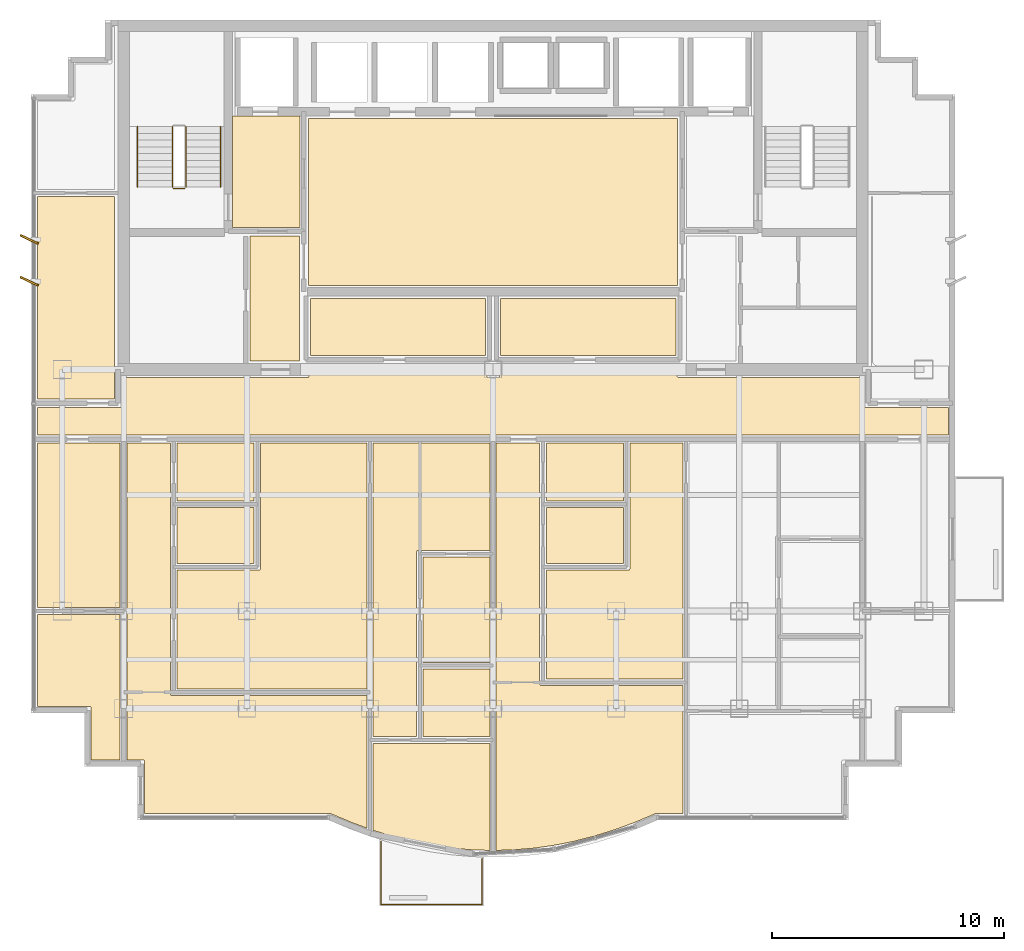
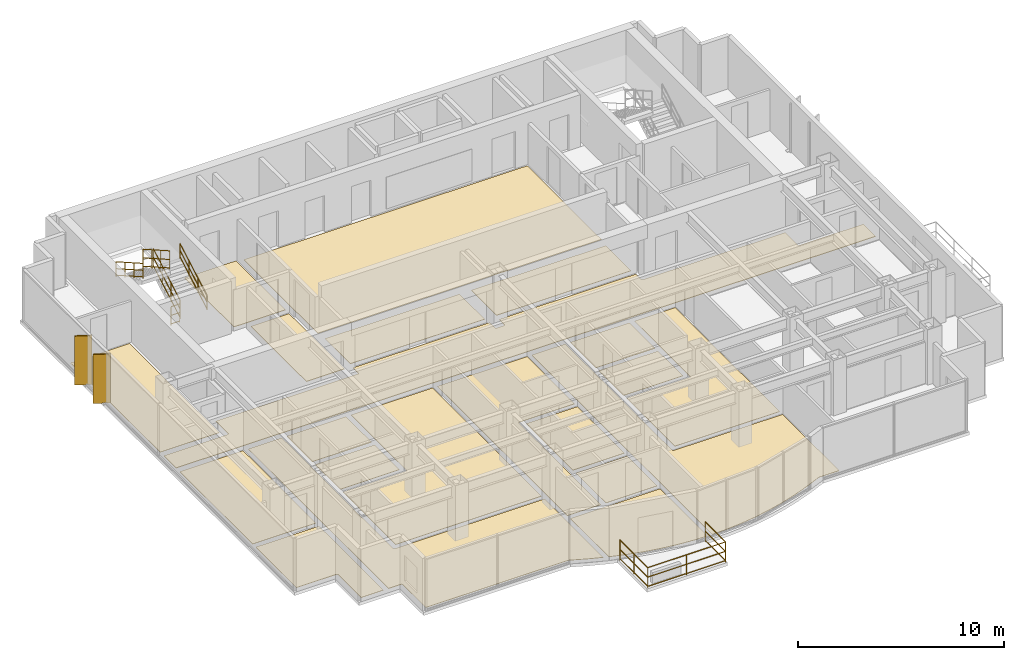
# One storey, part 10 of 11: 21 coverings, 6 railings, 2 shading devices.
"""IFC4 building model written with IfcOpenShell, lengths in metres."""

import ifcopenshell
import ifcopenshell.guid

model = None  # the IFC model being written
_history = None  # IfcOwnerHistory: only IFC2X3 demands one
_inside = {}  # id of a spatial element -> (the spatial element, [elements in it])
_under = {}  # id of a project, library or spatial element -> (it, [spatial elements below it])
_declared = {}  # id of a project -> (the project, [libraries it declares])
_typed = {}  # id of a type object -> (the type object, [elements of that type])
_made_of = {}  # id of a material, layer set ... -> (it, [elements and type objects made of it])


def new_model(schema):
    """Start an empty IFC model of exactly this schema.

    Asked for "IFC4X3", IfcOpenShell would pick the latest addendum, in which some entities
    have other attributes; the version numbers below select the first issue.
    IFC2X3 requires an IfcOwnerHistory on every rooted entity: one is made here for all.
    """
    global model, _history
    if schema == "IFC4X3":
        model = ifcopenshell.file(schema_version=(4, 3, 0, 0))
    else:
        model = ifcopenshell.file(schema=schema)
    _inside.clear()
    _under.clear()
    _declared.clear()
    _typed.clear()
    _made_of.clear()
    _history = None
    if model.schema == "IFC2X3":
        org = make("IfcOrganization", Name="unknown")
        user = make(
            "IfcPersonAndOrganization",
            ThePerson=make("IfcPerson", FamilyName="unknown"),
            TheOrganization=org,
        )
        app = make(
            "IfcApplication",
            ApplicationDeveloper=org,
            Version="unknown",
            ApplicationFullName="unknown",
            ApplicationIdentifier="unknown",
        )
        _history = make(
            "IfcOwnerHistory",
            OwningUser=user,
            OwningApplication=app,
            ChangeAction="ADDED",
            CreationDate=0,
        )
    return model


def make(cls, **values):
    """One entity of the class cls with the attributes given. An attribute that is None is left unset."""
    return model.create_entity(
        cls, **{name: value for name, value in values.items() if value is not None}
    )


def rooted(cls, **values):
    """An entity with a GlobalId (a new one), such as an element, a storey or a relation."""
    return make(cls, GlobalId=ifcopenshell.guid.new(), OwnerHistory=_history, **values)


def si_unit(unit_type, name, prefix=None):
    """IfcSIUnit, for example si_unit("LENGTHUNIT", "METRE", prefix="MILLI")."""
    return make("IfcSIUnit", UnitType=unit_type, Prefix=prefix, Name=name)


def assignment(units):
    """IfcUnitAssignment: the units of a project."""
    return None if units is None else make("IfcUnitAssignment", Units=units)


def point(xyz):
    """IfcCartesianPoint."""
    return None if xyz is None else make("IfcCartesianPoint", Coordinates=xyz)


def direction(xyz):
    """IfcDirection."""
    return None if xyz is None else make("IfcDirection", DirectionRatios=xyz)


def frame(location, z_axis=None, x_axis=None):
    """IfcAxis2Placement3D, a coordinate frame: its origin and axes. An axis left out is left unset."""
    return make(
        "IfcAxis2Placement3D",
        Location=point(location),
        Axis=direction(z_axis),
        RefDirection=direction(x_axis),
    )


def frame_2d(location, x_axis=None):
    """IfcAxis2Placement2D, a coordinate frame in the plane: its origin and x axis."""
    return make(
        "IfcAxis2Placement2D", Location=point(location), RefDirection=direction(x_axis)
    )


def origin():
    """The frame at (0, 0, 0) with its axes left unset."""
    return frame((0.0, 0.0, 0.0))


def origin_2d():
    """The frame at (0, 0) in the plane with its x axis left unset."""
    return frame_2d((0.0, 0.0))


def place(relative_to, where):
    """IfcLocalPlacement: puts the frame where relative to a parent placement (None: the world)."""
    return make(
        "IfcLocalPlacement", PlacementRelTo=relative_to, RelativePlacement=where
    )


def context(
    kind, dimensions, precision=None, world=None, true_north=None, identifier=None
):
    """IfcGeometricRepresentationContext, for example the 3D "Model" context."""
    return make(
        "IfcGeometricRepresentationContext",
        ContextIdentifier=identifier,
        ContextType=kind,
        CoordinateSpaceDimension=dimensions,
        Precision=precision,
        WorldCoordinateSystem=world,
        TrueNorth=true_north,
    )


def subcontext(parent, identifier, kind, view, scale=None):
    """IfcGeometricRepresentationSubContext, for example "Body" below "Model"."""
    return make(
        "IfcGeometricRepresentationSubContext",
        ContextIdentifier=identifier,
        ContextType=kind,
        ParentContext=parent,
        TargetScale=scale,
        TargetView=view,
    )


def project(units=None, contexts=None):
    """IfcProject with its units and contexts."""
    return rooted(
        "IfcProject",
        Name="project",
        RepresentationContexts=contexts,
        UnitsInContext=assignment(units),
    )


def spatial(cls, under=None, at=None, **own):
    """A site, building, storey or space (cls), placed at a placement, below another one or the project."""
    s = rooted(cls, ObjectPlacement=at, **own)
    if under is not None:
        _under.setdefault(under.id(), (under, []))[1].append(s)
    return s


def polyline(points):
    """IfcPolyline through the points."""
    return make("IfcPolyline", Points=[point(p) for p in points])


def profile(cls, at=None, kind="AREA", **sizes):
    """A parametric profile (cls). Its sizes go by their IFC names, for example OverallWidth=200.0."""
    return make(cls, ProfileType=kind, Position=at, **sizes)


def rectangle(**sizes):
    """IfcRectangleProfileDef."""
    return profile("IfcRectangleProfileDef", **sizes)


def circle(**sizes):
    """IfcCircleProfileDef."""
    return profile("IfcCircleProfileDef", **sizes)


def outline(outer, holes=None, kind="AREA"):
    """IfcArbitraryClosedProfileDef: a profile drawn as a closed curve; with holes, ...WithVoids."""
    if holes is None:
        return make("IfcArbitraryClosedProfileDef", ProfileType=kind, OuterCurve=outer)
    return make(
        "IfcArbitraryProfileDefWithVoids",
        ProfileType=kind,
        OuterCurve=outer,
        InnerCurves=holes,
    )


def extrude(swept, where, along, depth):
    """IfcExtrudedAreaSolid: the profile swept, set in the frame where, extruded along a direction by depth."""
    return make(
        "IfcExtrudedAreaSolid",
        SweptArea=swept,
        Position=where,
        ExtrudedDirection=direction(along),
        Depth=depth,
    )


def shape(context_of_items, identifier, shape_type, items):
    """IfcShapeRepresentation: the items that make up one representation, for example the "Body"."""
    return make(
        "IfcShapeRepresentation",
        ContextOfItems=context_of_items,
        RepresentationIdentifier=identifier,
        RepresentationType=shape_type,
        Items=items,
    )


def source(mapping_origin, context_of_items, identifier, shape_type, items):
    """IfcRepresentationMap: a shape defined once, which mapped items show again and again."""
    return make(
        "IfcRepresentationMap",
        MappingOrigin=mapping_origin,
        MappedRepresentation=shape(context_of_items, identifier, shape_type, items),
    )


def transform(
    local_origin,
    x_axis=None,
    y_axis=None,
    z_axis=None,
    scale=None,
    scale2=None,
    scale3=None,
    uniform=True,
):
    """IfcCartesianTransformationOperator3D, or its non-uniform kind. x_axis, y_axis, z_axis: its Axis1, 2, 3."""
    if uniform:
        return make(
            "IfcCartesianTransformationOperator3D",
            Axis1=direction(x_axis),
            Axis2=direction(y_axis),
            LocalOrigin=point(local_origin),
            Scale=scale,
            Axis3=direction(z_axis),
        )
    return make(
        "IfcCartesianTransformationOperator3DnonUniform",
        Axis1=direction(x_axis),
        Axis2=direction(y_axis),
        LocalOrigin=point(local_origin),
        Scale=scale,
        Axis3=direction(z_axis),
        Scale2=scale2,
        Scale3=scale3,
    )


def mapped(mapping_source, mapping_target):
    """IfcMappedItem: shows the shape of a source again, moved by a transform."""
    return make(
        "IfcMappedItem", MappingSource=mapping_source, MappingTarget=mapping_target
    )


def material(Name=None, Category=None):
    """IfcMaterial."""
    return make("IfcMaterial", Name=Name, Category=Category)


def layer(
    of_material, thickness, ventilated=None, Name=None, Category=None, Priority=None
):
    """IfcMaterialLayer: one layer of a wall or slab, of a material (None: an air gap)."""
    return make(
        "IfcMaterialLayer",
        Material=of_material,
        LayerThickness=thickness,
        IsVentilated=ventilated,
        Name=Name,
        Category=Category,
        Priority=Priority,
    )


def layer_set(layers, Name=None):
    """IfcMaterialLayerSet."""
    return make("IfcMaterialLayerSet", MaterialLayers=layers, LayerSetName=Name)


def made_of(thing, what):
    """Note that an element or type object is made of a material, layer set ...; save() writes the relation."""
    if what is not None:
        _made_of.setdefault(what.id(), (what, []))[1].append(thing)
    return thing


def type_object(cls, material=None, **own):
    """A type object (cls), such as IfcWallType, which elements share."""
    return made_of(rooted(cls, **own), material)


def element(
    cls,
    number,
    at=None,
    inside=None,
    cuts=None,
    type_object=None,
    material=None,
    context=None,
    identifier="Body",
    shape_type=None,
    held_by="IfcProductDefinitionShape",
    body=None,
    shapes=None,
    **own,
):
    """One element of the class cls, such as IfcWall. Its Tag is "e" and its number.

    at: its placement. inside: the storey or other place that contains it. cuts: it is an
    opening in that element (IfcRelVoidsElement). A single representation is given by context,
    identifier, shape_type and body (its items); several are given by shapes. held_by: the class
    of the entity that holds the representations. save() writes the other relations.
    """
    e = rooted(cls, Tag="e%d" % number, ObjectPlacement=at, **own)
    if body is not None:
        shapes = [shape(context, identifier, shape_type, body)]
    if shapes is not None:
        e.Representation = make(held_by, Representations=shapes)
    if inside is not None:
        _inside.setdefault(inside.id(), (inside, []))[1].append(e)
    if cuts is not None:
        rooted(
            "IfcRelVoidsElement", RelatingBuildingElement=cuts, RelatedOpeningElement=e
        )
    if type_object is not None:
        _typed.setdefault(type_object.id(), (type_object, []))[1].append(e)
    return made_of(e, material)


def aggregate(whole, parts):
    """IfcRelAggregates: a whole, such as a stair, and the parts it consists of."""
    return rooted("IfcRelAggregates", RelatingObject=whole, RelatedObjects=parts)


def save(model, path):
    """Write the relations noted so far, then the file.

    IfcRelAggregates (storeys below a building ...), IfcRelContainedInSpatialStructure (elements
    in a storey), IfcRelDefinesByType, IfcRelAssociatesMaterial and IfcRelDeclares: one each for
    every whole, place, type object, material and project.
    """
    for whole, parts in _under.values():
        aggregate(whole, parts)
    for where, things in _inside.values():
        rooted(
            "IfcRelContainedInSpatialStructure",
            RelatedElements=things,
            RelatingStructure=where,
        )
    for kind, things in _typed.values():
        rooted("IfcRelDefinesByType", RelatedObjects=things, RelatingType=kind)
    for what, things in _made_of.values():
        rooted("IfcRelAssociatesMaterial", RelatedObjects=things, RelatingMaterial=what)
    for by, libraries in _declared.values():
        rooted("IfcRelDeclares", RelatingContext=by, RelatedDefinitions=libraries)
    model.write(path)


model = new_model("IFC4")

# Units and contexts
model_context = context("Model", 3, precision=1e-05, world=origin(), true_north=direction((0.0, 1.0)))
body_context = subcontext(model_context, "Body", "Model", "MODEL_VIEW")
ifc_project = project(units=[si_unit("LENGTHUNIT", "METRE"), si_unit("AREAUNIT", "SQUARE_METRE"), si_unit("VOLUMEUNIT", "CUBIC_METRE"), si_unit("PLANEANGLEUNIT", "RADIAN"), si_unit("MASSUNIT", "GRAM", prefix="KILO")], contexts=[model_context])

# Site, building, storey
site_placement = place(None, origin())
site = spatial("IfcSite", under=ifc_project, at=site_placement, CompositionType="ELEMENT")
building_placement = place(site_placement, origin())
building = spatial("IfcBuilding", under=site, at=building_placement, Name="Qianlan Lanfeng Residences", CompositionType="ELEMENT")
storey_placement = place(building_placement, frame((0.0, 0.0, 223.10009765625)))
storey = spatial("IfcBuildingStorey", under=building, at=storey_placement, Name="L61", CompositionType="ELEMENT", Elevation=223.10009765625)

# Coverings
ifc_material_1 = material(Name="Honed Taitung Granite Stone Flooring", Category="masonry")
ifc_layer_1 = layer(ifc_material_1, 0.030029296875)
ifc_layer_set_1 = layer_set([ifc_layer_1], Name="Honed Taitung Granite Stone Flooring")
covering_type_1 = type_object("IfcCoveringType", Name="FLR-STN-30", PredefinedType="FLOORING", material=ifc_layer_set_1)
covering_1_placement = place(storey_placement, origin())
element("IfcCovering", 1, at=covering_1_placement, inside=storey, type_object=covering_type_1, Name="L61 Firefighting Lift Lobby Floor Finish", PredefinedType="FLOORING", context=body_context, shape_type="SweptSolid", body=[
    extrude(outline(polyline([(15.2900390625, 31.320068359375), (18.179931640625, 31.320068359375), (18.179931640625, 36.110107421875), (15.2900390625, 36.110107421875), (15.2900390625, 31.320068359375)])), origin(), (0.0, 0.0, 1.0), 0.02978515625),
])
covering_2_placement = place(storey_placement, origin())
element("IfcCovering", 2, at=covering_2_placement, inside=storey, type_object=covering_type_1, Name="L61 Lift Lobby Floor Finish", PredefinedType="FLOORING", context=body_context, shape_type="SweptSolid", body=[
    extrude(outline(polyline([(18.550048828125, 28.820068359375), (34.449951171875, 28.820068359375), (34.449951171875, 36.010009765625), (18.550048828125, 36.010009765625), (18.550048828125, 28.820068359375)])), origin(), (0.0, 0.0, 1.0), 0.02978515625),
])
covering_3_placement = place(storey_placement, origin())
element("IfcCovering", 3, at=covering_3_placement, inside=storey, type_object=covering_type_1, Name="L61 Residential Corridor Floor Finish", PredefinedType="FLOORING", context=body_context, shape_type="SweptSolid", body=[
    extrude(outline(polyline([(6.889892578125, 22.3798828125), (46.110107421875, 22.3798828125), (46.110107421875, 23.570068359375), (42.5400390625, 23.570068359375), (42.532958984375, 23.570068359375), (42.52587890625, 23.571044921875), (42.52001953125, 23.572998046875), (42.512939453125, 23.574951171875), (42.507080078125, 23.577880859375), (42.5009765625, 23.58203125), (42.49609375, 23.5859375), (42.490966796875, 23.591064453125), (42.486083984375, 23.595947265625), (42.48193359375, 23.60107421875), (42.47802734375, 23.60693359375), (42.47509765625, 23.613037109375), (42.472900390625, 23.6201171875), (42.470947265625, 23.6259765625), (42.469970703125, 23.633056640625), (42.469970703125, 23.639892578125), (42.469970703125, 24.85009765625), (34.5, 24.85009765625), (34.492919921875, 24.85009765625), (34.486083984375, 24.85107421875), (34.47998046875, 24.85302734375), (34.472900390625, 24.85498046875), (34.467041015625, 24.85791015625), (34.4609375, 24.862060546875), (34.4560546875, 24.865966796875), (34.450927734375, 24.87109375), (34.446044921875, 24.8759765625), (34.44189453125, 24.881103515625), (34.43798828125, 24.886962890625), (34.43505859375, 24.89306640625), (34.43310546875, 24.89990234375), (34.430908203125, 24.906005859375), (34.429931640625, 24.9130859375), (34.429931640625, 24.919921875), (34.429931640625, 25.429931640625), (26.77001953125, 25.429931640625), (26.77001953125, 24.919921875), (26.77001953125, 24.9130859375), (26.76904296875, 24.906005859375), (26.76708984375, 24.89990234375), (26.764892578125, 24.89306640625), (26.761962890625, 24.886962890625), (26.758056640625, 24.881103515625), (26.75390625, 24.8759765625), (26.7490234375, 24.87109375), (26.743896484375, 24.865966796875), (26.739013671875, 24.862060546875), (26.73291015625, 24.85791015625), (26.72705078125, 24.85498046875), (26.719970703125, 24.85302734375), (26.714111328125, 24.85107421875), (26.70703125, 24.85009765625), (26.699951171875, 24.85009765625), (26.300048828125, 24.85009765625), (26.29296875, 24.85009765625), (26.285888671875, 24.85107421875), (26.280029296875, 24.85302734375), (26.27294921875, 24.85498046875), (26.26708984375, 24.85791015625), (26.260986328125, 24.862060546875), (26.256103515625, 24.865966796875), (26.2509765625, 24.87109375), (26.24609375, 24.8759765625), (26.241943359375, 24.881103515625), (26.238037109375, 24.886962890625), (26.235107421875, 24.89306640625), (26.23291015625, 24.89990234375), (26.23095703125, 24.906005859375), (26.22998046875, 24.9130859375), (26.22998046875, 24.919921875), (26.22998046875, 25.429931640625), (18.570068359375, 25.429931640625), (18.570068359375, 24.919921875), (18.570068359375, 24.9130859375), (18.569091796875, 24.906005859375), (18.56689453125, 24.89990234375), (18.56494140625, 24.89306640625), (18.56201171875, 24.886962890625), (18.55810546875, 24.881103515625), (18.553955078125, 24.8759765625), (18.549072265625, 24.87109375), (18.5439453125, 24.865966796875), (18.5390625, 24.862060546875), (18.532958984375, 24.85791015625), (18.527099609375, 24.85498046875), (18.52001953125, 24.85302734375), (18.513916015625, 24.85107421875), (18.507080078125, 24.85009765625), (18.5, 24.85009765625), (10.530029296875, 24.85009765625), (10.530029296875, 23.639892578125), (10.530029296875, 23.633056640625), (10.529052734375, 23.6259765625), (10.527099609375, 23.6201171875), (10.52490234375, 23.613037109375), (10.52197265625, 23.60693359375), (10.51806640625, 23.60107421875), (10.513916015625, 23.595947265625), (10.509033203125, 23.591064453125), (10.50390625, 23.5859375), (10.4990234375, 23.58203125), (10.492919921875, 23.577880859375), (10.487060546875, 23.574951171875), (10.47998046875, 23.572998046875), (10.47412109375, 23.571044921875), (10.467041015625, 23.570068359375), (10.4599609375, 23.570068359375), (6.889892578125, 23.570068359375), (6.889892578125, 22.3798828125)])), origin(), (0.0, 0.0, 1.0), 0.02978515625),
])
covering_4_placement = place(storey_placement, origin())
element("IfcCovering", 4, at=covering_4_placement, inside=storey, type_object=covering_type_1, Name="L61 Lift Lobby Floor Finish", PredefinedType="FLOORING", context=body_context, shape_type="SweptSolid", body=[
    extrude(outline(polyline([(16.030029296875, 25.56005859375), (18.169921875, 25.56005859375), (18.169921875, 30.949951171875), (16.030029296875, 30.949951171875), (16.030029296875, 25.56005859375)])), origin(), (0.0, 0.0, 1.0), 0.02978515625),
])
ifc_material_2 = material(Name="Slip-Resistant Porcelain Tile Flooring")
ifc_layer_2 = layer(ifc_material_2, 0.02001953125)
ifc_layer_set_2 = layer_set([ifc_layer_2], Name="Slip-Resistant Porcelain Tile Flooring")
covering_type_2 = type_object("IfcCoveringType", Name="FLR-TIL-20", PredefinedType="FLOORING", material=ifc_layer_set_2)
covering_5_placement = place(storey_placement, origin())
element("IfcCovering", 5, at=covering_5_placement, inside=storey, type_object=covering_type_2, Name="L61 Kitchen Floor Finish", PredefinedType="FLOORING", context=body_context, shape_type="SweptSolid", body=[
    extrude(outline(polyline([(12.889892578125, 16.840087890625), (16.2099609375, 16.840087890625), (16.2099609375, 19.260009765625), (12.889892578125, 19.260009765625), (12.889892578125, 16.840087890625)])), origin(), (0.0, 0.0, 1.0), 0.02001953125),
])
covering_6_placement = place(storey_placement, origin())
element("IfcCovering", 6, at=covering_6_placement, inside=storey, type_object=covering_type_2, Name="L61 Bathroom Floor Finish", PredefinedType="FLOORING", context=body_context, shape_type="SweptSolid", body=[
    extrude(outline(polyline([(12.889892578125, 19.5400390625), (16.2099609375, 19.5400390625), (16.2099609375, 22.030029296875), (12.889892578125, 22.030029296875), (12.889892578125, 19.5400390625)])), origin(), (0.0, 0.0, 1.0), 0.02001953125),
])
covering_7_placement = place(storey_placement, origin())
element("IfcCovering", 7, at=covering_7_placement, inside=storey, type_object=covering_type_2, Name="L61 En-Suite Bathroom Floor Finish", PredefinedType="FLOORING", context=body_context, shape_type="SweptSolid", body=[
    extrude(outline(polyline([(23.489990234375, 9.387939453125), (26.3701171875, 9.387939453125), (26.3701171875, 12.30810546875), (23.489990234375, 12.30810546875), (23.489990234375, 9.387939453125)])), origin(), (0.0, 0.0, 1.0), 0.02001953125),
])
covering_8_placement = place(storey_placement, origin())
element("IfcCovering", 8, at=covering_8_placement, inside=storey, type_object=covering_type_2, Name="L61 Kitchen Floor Finish", PredefinedType="FLOORING", context=body_context, shape_type="SweptSolid", body=[
    extrude(outline(polyline([(28.7900390625, 16.840087890625), (32.110107421875, 16.840087890625), (32.110107421875, 19.260009765625), (28.7900390625, 19.260009765625), (28.7900390625, 16.840087890625)])), origin(), (0.0, 0.0, 1.0), 0.02001953125),
])
covering_9_placement = place(storey_placement, origin())
element("IfcCovering", 9, at=covering_9_placement, inside=storey, type_object=covering_type_2, Name="L61 Bathroom Floor Finish", PredefinedType="FLOORING", context=body_context, shape_type="SweptSolid", body=[
    extrude(outline(polyline([(28.7900390625, 19.5400390625), (32.110107421875, 19.5400390625), (32.110107421875, 22.030029296875), (28.7900390625, 22.030029296875), (28.7900390625, 19.5400390625)])), origin(), (0.0, 0.0, 1.0), 0.02001953125),
])
ifc_material_3 = material(Name="Engineered Smoked Oak Timber Flooring", Category="wood")
ifc_layer_3 = layer(ifc_material_3, 0.02197265625)
ifc_layer_set_3 = layer_set([ifc_layer_3], Name="Engineered Smoked Oak Timber Flooring")
covering_type_3 = type_object("IfcCoveringType", Name="FLR-TIM-22", PredefinedType="FLOORING", material=ifc_layer_set_3)
covering_10_placement = place(storey_placement, origin())
element("IfcCovering", 10, at=covering_10_placement, inside=storey, type_object=covering_type_3, Name="L61 Resident Reading Lounge Floor Finish", PredefinedType="FLOORING", context=body_context, shape_type="SweptSolid", body=[
    extrude(outline(polyline([(18.6298828125, 25.800048828125), (26.169921875, 25.800048828125), (26.169921875, 28.2548828125), (18.6298828125, 28.2548828125), (18.6298828125, 25.800048828125)])), origin(), (0.0, 0.0, 1.0), 0.02197265625),
])
covering_11_placement = place(storey_placement, origin())
element("IfcCovering", 11, at=covering_11_placement, inside=storey, type_object=covering_type_3, Name="L61 Panoramic Sky Foyer Salon Floor Finish", PredefinedType="FLOORING", context=body_context, shape_type="SweptSolid", body=[
    extrude(outline(polyline([(26.830078125, 25.800048828125), (34.3701171875, 25.800048828125), (34.3701171875, 28.2548828125), (26.830078125, 28.2548828125), (26.830078125, 25.800048828125)])), origin(), (0.0, 0.0, 1.0), 0.02197265625),
])
covering_12_placement = place(storey_placement, origin())
element("IfcCovering", 12, at=covering_12_placement, inside=storey, type_object=covering_type_3, Name="L61 Living and Dining Room Floor Finish", PredefinedType="FLOORING", context=body_context, shape_type="SweptSolid", body=[
    extrude(outline(polyline([(21.070068359375, 5.452880859375), (21.070068359375, 11.1630859375), (12.679931640625, 11.1630859375), (12.673095703125, 11.1630859375), (12.666015625, 11.1640625), (12.659912109375, 11.166015625), (12.653076171875, 11.16796875), (12.64697265625, 11.1708984375), (12.64111328125, 11.175048828125), (12.635986328125, 11.178955078125), (12.631103515625, 11.18408203125), (12.6259765625, 11.18896484375), (12.6220703125, 11.194091796875), (12.617919921875, 11.199951171875), (12.614990234375, 11.2060546875), (12.613037109375, 11.212890625), (12.611083984375, 11.218994140625), (12.610107421875, 11.22607421875), (12.610107421875, 11.23291015625), (12.610107421875, 22.030029296875), (10.72998046875, 22.030029296875), (10.72998046875, 8.389892578125), (11.419921875, 8.389892578125), (11.427001953125, 8.389892578125), (11.43408203125, 8.388916015625), (11.43994140625, 8.386962890625), (11.447021484375, 8.385009765625), (11.452880859375, 8.382080078125), (11.458984375, 8.3779296875), (11.464111328125, 8.3740234375), (11.468994140625, 8.368896484375), (11.47412109375, 8.364013671875), (11.47802734375, 8.35888671875), (11.48193359375, 8.35302734375), (11.485107421875, 8.346923828125), (11.487060546875, 8.340087890625), (11.489013671875, 8.333984375), (11.489990234375, 8.326904296875), (11.489990234375, 8.320068359375), (11.489990234375, 6.090087890625), (19.465087890625, 6.090087890625), (19.471923828125, 6.090087890625), (19.47900390625, 6.089111328125), (19.485107421875, 6.0869140625), (19.491943359375, 6.083984375), (20.412109375, 5.695068359375), (21.070068359375, 5.452880859375)])), origin(), (0.0, 0.0, 1.0), 0.02197265625),
])
covering_13_placement = place(storey_placement, origin())
element("IfcCovering", 13, at=covering_13_placement, inside=storey, type_object=covering_type_3, Name="L61 Villa Family Sitting Room Floor Finish", PredefinedType="FLOORING", context=body_context, shape_type="SweptSolid", body=[
    extrude(outline(polyline([(12.889892578125, 11.443115234375), (21.070068359375, 11.443115234375), (21.070068359375, 22.030029296875), (16.489990234375, 22.030029296875), (16.489990234375, 16.6298828125), (16.489990234375, 16.623046875), (16.489013671875, 16.615966796875), (16.487060546875, 16.610107421875), (16.485107421875, 16.60302734375), (16.48193359375, 16.596923828125), (16.47802734375, 16.591064453125), (16.47412109375, 16.5859375), (16.468994140625, 16.5810546875), (16.464111328125, 16.575927734375), (16.458984375, 16.572021484375), (16.452880859375, 16.568115234375), (16.447021484375, 16.56494140625), (16.43994140625, 16.56298828125), (16.43408203125, 16.56103515625), (16.427001953125, 16.56005859375), (16.419921875, 16.56005859375), (12.889892578125, 16.56005859375), (12.889892578125, 11.443115234375)])), origin(), (0.0, 0.0, 1.0), 0.02197265625),
])
covering_14_placement = place(storey_placement, origin())
element("IfcCovering", 14, at=covering_14_placement, inside=storey, type_object=covering_type_3, Name="L61 Private Study Floor Finish", PredefinedType="FLOORING", context=body_context, shape_type="SweptSolid", body=[
    extrude(outline(polyline([(23.489990234375, 12.587890625), (26.3701171875, 12.587890625), (26.3701171875, 17.134033203125), (23.489990234375, 17.134033203125), (23.489990234375, 12.587890625)])), origin(), (0.0, 0.0, 1.0), 0.02197265625),
])
covering_15_placement = place(storey_placement, origin())
element("IfcCovering", 15, at=covering_15_placement, inside=storey, type_object=covering_type_3, Name="L61 Villa Family Sitting Room Floor Finish", PredefinedType="FLOORING", context=body_context, shape_type="SweptSolid", body=[
    extrude(outline(polyline([(21.330078125, 9.387939453125), (23.2099609375, 9.387939453125), (23.2099609375, 17.343994140625), (23.2099609375, 17.35107421875), (23.2109375, 17.35791015625), (23.212890625, 17.364013671875), (23.215087890625, 17.37109375), (23.218017578125, 17.376953125), (23.221923828125, 17.383056640625), (23.22607421875, 17.387939453125), (23.23095703125, 17.39306640625), (23.236083984375, 17.39794921875), (23.240966796875, 17.402099609375), (23.2470703125, 17.406005859375), (23.2529296875, 17.408935546875), (23.260009765625, 17.410888671875), (23.26611328125, 17.4130859375), (23.27294921875, 17.4140625), (23.280029296875, 17.4140625), (26.3701171875, 17.4140625), (26.3701171875, 22.030029296875), (21.330078125, 22.030029296875), (21.330078125, 9.387939453125)])), origin(), (0.0, 0.0, 1.0), 0.02197265625),
])
covering_16_placement = place(storey_placement, origin())
element("IfcCovering", 16, at=covering_16_placement, inside=storey, type_object=covering_type_3, Name="L61 Master Bedroom Floor Finish", PredefinedType="FLOORING", context=body_context, shape_type="SweptSolid", body=[
    extrude(outline(polyline([(21.330078125, 9.10791015625), (21.3310546875, 5.360107421875), (22.154052734375, 5.10400390625), (23.02392578125, 4.883056640625), (23.89306640625, 4.7109375), (24.762939453125, 4.587890625), (25.631103515625, 4.514892578125), (26.3701171875, 4.493896484375), (26.3701171875, 9.10791015625), (21.330078125, 9.10791015625)])), origin(), (0.0, 0.0, 1.0), 0.02197265625),
])
covering_17_placement = place(storey_placement, origin())
element("IfcCovering", 17, at=covering_17_placement, inside=storey, type_object=covering_type_3, Name="L61 Living and Dining Room Floor Finish", PredefinedType="FLOORING", context=body_context, shape_type="SweptSolid", body=[
    extrude(outline(polyline([(34.669921875, 6.090087890625), (34.669921875, 11.589111328125), (28.580078125, 11.589111328125), (28.572998046875, 11.589111328125), (28.56591796875, 11.590087890625), (28.56005859375, 11.592041015625), (28.552978515625, 11.593994140625), (28.547119140625, 11.596923828125), (28.541015625, 11.60107421875), (28.535888671875, 11.60498046875), (28.531005859375, 11.610107421875), (28.52587890625, 11.614990234375), (28.52197265625, 11.6201171875), (28.51806640625, 11.6259765625), (28.514892578125, 11.632080078125), (28.512939453125, 11.638916015625), (28.510986328125, 11.64501953125), (28.510009765625, 11.652099609375), (28.510009765625, 11.658935546875), (28.510009765625, 22.030029296875), (26.6298828125, 22.030029296875), (26.6298828125, 4.493896484375), (27.368896484375, 4.514892578125), (28.237060546875, 4.587890625), (29.10693359375, 4.7109375), (29.97607421875, 4.883056640625), (30.845947265625, 5.10400390625), (31.717041015625, 5.375), (32.587890625, 5.695068359375), (33.508056640625, 6.083984375), (33.514892578125, 6.0869140625), (33.52099609375, 6.089111328125), (33.528076171875, 6.090087890625), (33.534912109375, 6.090087890625), (34.669921875, 6.090087890625)])), origin(), (0.0, 0.0, 1.0), 0.02197265625),
])
covering_18_placement = place(storey_placement, origin())
element("IfcCovering", 18, at=covering_18_placement, inside=storey, type_object=covering_type_3, Name="L61 Villa Family Sitting Room Floor Finish", PredefinedType="FLOORING", context=body_context, shape_type="SweptSolid", body=[
    extrude(outline(polyline([(28.7900390625, 11.868896484375), (34.669921875, 11.868896484375), (34.669921875, 22.030029296875), (32.389892578125, 22.030029296875), (32.389892578125, 16.6298828125), (32.389892578125, 16.623046875), (32.388916015625, 16.615966796875), (32.386962890625, 16.610107421875), (32.385009765625, 16.60302734375), (32.382080078125, 16.596923828125), (32.3779296875, 16.591064453125), (32.3740234375, 16.5859375), (32.368896484375, 16.5810546875), (32.364013671875, 16.575927734375), (32.35888671875, 16.572021484375), (32.35302734375, 16.568115234375), (32.346923828125, 16.56494140625), (32.340087890625, 16.56298828125), (32.333984375, 16.56103515625), (32.326904296875, 16.56005859375), (32.320068359375, 16.56005859375), (28.7900390625, 16.56005859375), (28.7900390625, 11.868896484375)])), origin(), (0.0, 0.0, 1.0), 0.02197265625),
])
covering_19_placement = place(storey_placement, origin())
element("IfcCovering", 19, at=covering_19_placement, inside=storey, type_object=covering_type_3, Name="L61 Sunroom Floor Finish", PredefinedType="FLOORING", context=body_context, shape_type="SweptSolid", body=[
    extrude(outline(polyline([(10.43994140625, 14.64990234375), (6.889892578125, 14.64990234375), (6.889892578125, 10.68994140625), (9.1201171875, 10.68994140625), (9.126953125, 10.68994140625), (9.134033203125, 10.68896484375), (9.139892578125, 10.68701171875), (9.14697265625, 10.68505859375), (9.153076171875, 10.681884765625), (9.158935546875, 10.677978515625), (9.1640625, 10.674072265625), (9.1689453125, 10.6689453125), (9.174072265625, 10.6640625), (9.177978515625, 10.658935546875), (9.181884765625, 10.653076171875), (9.18505859375, 10.64697265625), (9.18701171875, 10.639892578125), (9.18896484375, 10.634033203125), (9.18994140625, 10.626953125), (9.18994140625, 10.6201171875), (9.18994140625, 8.389892578125), (10.43994140625, 8.389892578125), (10.43994140625, 14.64990234375)])), origin(), (0.0, 0.0, 1.0), 0.02197265625),
])
covering_20_placement = place(storey_placement, origin())
element("IfcCovering", 20, at=covering_20_placement, inside=storey, type_object=covering_type_3, Name="L61 Family Sitting Room Floor Finish", PredefinedType="FLOORING", context=body_context, shape_type="SweptSolid", body=[
    extrude(outline(polyline([(10.43994140625, 22.030029296875), (6.889892578125, 22.030029296875), (6.889892578125, 14.949951171875), (10.43994140625, 14.949951171875), (10.43994140625, 22.030029296875)])), origin(), (0.0, 0.0, 1.0), 0.02197265625),
])
covering_21_placement = place(storey_placement, origin())
element("IfcCovering", 21, at=covering_21_placement, inside=storey, type_object=covering_type_3, Name="L61 Tea Salon Floor Finish", PredefinedType="FLOORING", context=body_context, shape_type="SweptSolid", body=[
    extrude(outline(polyline([(10.199951171875, 32.64990234375), (6.889892578125, 32.64990234375), (6.889892578125, 23.929931640625), (10.199951171875, 23.929931640625), (10.199951171875, 32.64990234375)])), origin(), (0.0, 0.0, 1.0), 0.02197265625),
])

# Railings
ifc_material_4 = material(Name="Anodised Bronze Aluminium and Laminated Glass Guard Balustrade", Category="aluminium")
railing_type_1 = type_object("IfcRailingType", Name="GR-EXT-1220", PredefinedType="BALUSTRADE", material=ifc_material_4)
railing_1_placement = place(storey_placement, frame((26.030029296875, 4.14306640625, 0.0)))
element("IfcRailing", 22, at=railing_1_placement, inside=storey, type_object=railing_type_1, Name="L61 Terrace Safety Guard GR-L61-SB-C", PredefinedType="BALUSTRADE", context=body_context, shape_type="SweptSolid", body=[
    extrude(circle(Radius=0.02490234375, at=origin_2d()), frame((0.0, 0.0, 0.0849609375), z_axis=(0.0, -1.0, 0.0), x_axis=(1.0, 0.0, 0.0)), (0.0, 0.0, 1.0), 1.97314453125),
    extrude(circle(Radius=0.02490234375, at=origin_2d()), frame((0.0, 0.0, 0.63427734375), z_axis=(0.0, -1.0, 0.0), x_axis=(1.0, 0.0, 0.0)), (0.0, 0.0, 1.0), 1.97314453125),
    extrude(circle(Radius=0.02490234375, at=origin_2d()), frame((0.0, 0.0, 1.19482421875), z_axis=(0.0, -1.0, 0.0), x_axis=(1.0, 0.0, 0.0)), (0.0, 0.0, 1.0), 1.97314453125),
    extrude(circle(Radius=0.02490234375, at=origin_2d()), frame((0.0, -1.97314453125, 0.0849609375), z_axis=(-1.0, 0.0, 0.0), x_axis=(0.0, -1.0, 0.0)), (0.0, 0.0, 1.0), 4.360107421875),
    extrude(circle(Radius=0.02490234375, at=origin_2d()), frame((0.0, -1.97314453125, 0.63427734375), z_axis=(-1.0, 0.0, 0.0), x_axis=(0.0, -1.0, 0.0)), (0.0, 0.0, 1.0), 4.360107421875),
    extrude(circle(Radius=0.02490234375, at=origin_2d()), frame((0.0, -1.97314453125, 1.19482421875), z_axis=(-1.0, 0.0, 0.0), x_axis=(0.0, -1.0, 0.0)), (0.0, 0.0, 1.0), 4.360107421875),
    extrude(circle(Radius=0.02490234375, at=origin_2d()), frame((-4.360107421875, -1.97314453125, 0.0849609375), z_axis=(0.0, 1.0, 0.0), x_axis=(-1.0, 0.0, 0.0)), (0.0, 0.0, 1.0), 2.7080078125),
    extrude(circle(Radius=0.02490234375, at=origin_2d()), frame((-4.360107421875, -1.97314453125, 0.63427734375), z_axis=(0.0, 1.0, 0.0), x_axis=(-1.0, 0.0, 0.0)), (0.0, 0.0, 1.0), 2.7080078125),
    extrude(circle(Radius=0.02490234375, at=origin_2d()), frame((-4.360107421875, -1.97314453125, 1.19482421875), z_axis=(0.0, 1.0, 0.0), x_axis=(-1.0, 0.0, 0.0)), (0.0, 0.0, 1.0), 2.7080078125),
    extrude(circle(Radius=0.02099609375, at=origin_2d()), origin(), (0.0, 0.0, 1.0), 1.169921875),
    extrude(circle(Radius=0.02099609375, at=origin_2d()), frame((0.0, -1.97314453125, 0.0)), (0.0, 0.0, 1.0), 1.169921875),
    extrude(circle(Radius=0.02099609375, at=origin_2d()), frame((-2.18017578125, -1.97314453125, 0.0)), (0.0, 0.0, 1.0), 1.169921875),
    extrude(circle(Radius=0.02099609375, at=origin_2d()), frame((-4.360107421875, -1.97314453125, 0.0)), (0.0, 0.0, 1.0), 1.169921875),
    extrude(circle(Radius=0.02099609375, at=origin_2d()), frame((-4.360107421875, -0.619140625, 0.0)), (0.0, 0.0, 1.0), 1.169921875),
    extrude(circle(Radius=0.02099609375, at=origin_2d()), frame((-4.360107421875, 0.73486328125, 0.0)), (0.0, 0.0, 1.0), 1.169921875),
])
ifc_material_5 = material(Name="Painted Galvanised Steel Guardrail", Category="steel")
railing_type_2 = type_object("IfcRailingType", Name="GR-ST-1120", PredefinedType="GUARDRAIL", material=ifc_material_5)
railing_2_placement = place(storey_placement, frame((13.27001953125, 33.050048828125, 0.164794921875)))
element("IfcRailing", 23, at=railing_2_placement, inside=storey, type_object=railing_type_2, Name="L61 ST-1 stair guard 1", PredefinedType="GUARDRAIL", context=body_context, shape_type="SweptSolid", body=[
    extrude(circle(Radius=0.02392578125, at=origin_2d()), frame((0.0, 0.0, 0.083984375), z_axis=(0.0, 0.869137319866, 0.494570843475), x_axis=(-1.0, 0.0, 0.0)), (0.0, 0.0, 1.0), 3.0029296875),
    extrude(circle(Radius=0.02392578125, at=origin_2d()), frame((0.0, 0.0, 0.58251953125), z_axis=(0.0, 0.869137319866, 0.494570843475), x_axis=(-1.0, 0.0, 0.0)), (0.0, 0.0, 1.0), 3.0029296875),
    extrude(circle(Radius=0.02392578125, at=origin_2d()), frame((0.0, 0.0, 1.09619140625), z_axis=(0.0, 0.869137319866, 0.494570843475), x_axis=(-1.0, 0.0, 0.0)), (0.0, 0.0, 1.0), 3.0029296875),
    extrude(circle(Radius=0.02099609375, at=origin_2d()), origin(), (0.0, 0.0, 1.0), 1.072021484375),
    extrude(circle(Radius=0.02099609375, at=origin_2d()), frame((0.0, 0.869873046875, 0.4951171875)), (0.0, 0.0, 1.0), 1.072021484375),
    extrude(circle(Radius=0.02099609375, at=origin_2d()), frame((0.0, 1.739990234375, 0.989990234375)), (0.0, 0.0, 1.0), 1.072021484375),
    extrude(circle(Radius=0.02099609375, at=origin_2d()), frame((0.0, 2.60986328125, 1.485107421875)), (0.0, 0.0, 1.0), 1.072021484375),
])
railing_3_placement = place(storey_placement, frame((12.68994140625, 35.659912109375, 1.81494140625)))
element("IfcRailing", 24, at=railing_3_placement, inside=storey, type_object=railing_type_2, Name="L61 ST-1 stair guard 3", PredefinedType="GUARDRAIL", context=body_context, shape_type="SweptSolid", body=[
    extrude(circle(Radius=0.02392578125, at=origin_2d()), frame((0.0, 0.0, 0.083984375), z_axis=(0.0, -0.869172267526, 0.494509422927), x_axis=(1.0, 0.0, 0.0)), (0.0, 0.0, 1.0), 3.002685546875),
    extrude(circle(Radius=0.02392578125, at=origin_2d()), frame((0.0, 0.0, 0.58251953125), z_axis=(0.0, -0.869172267526, 0.494509422927), x_axis=(1.0, 0.0, 0.0)), (0.0, 0.0, 1.0), 3.002685546875),
    extrude(circle(Radius=0.02392578125, at=origin_2d()), frame((0.0, 0.0, 1.09619140625), z_axis=(0.0, -0.869172267526, 0.494509422927), x_axis=(1.0, 0.0, 0.0)), (0.0, 0.0, 1.0), 3.002685546875),
    extrude(circle(Radius=0.02099609375, at=origin_2d()), origin(), (0.0, 0.0, 1.0), 1.072021484375),
    extrude(circle(Radius=0.02099609375, at=origin_2d()), frame((0.0, -0.869873046875, 0.494873046875)), (0.0, 0.0, 1.0), 1.072021484375),
    extrude(circle(Radius=0.02099609375, at=origin_2d()), frame((0.0, -1.739990234375, 0.989990234375)), (0.0, 0.0, 1.0), 1.072021484375),
    extrude(circle(Radius=0.02099609375, at=origin_2d()), frame((0.0, -2.60986328125, 1.48486328125)), (0.0, 0.0, 1.0), 1.072021484375),
])
railing_4_placement = place(storey_placement, frame((13.219970703125, 33.0, 0.0)))
element("IfcRailing", 25, at=railing_4_placement, inside=storey, type_object=railing_type_2, Name="L61 ST-1 stair guard 4", PredefinedType="GUARDRAIL", context=body_context, shape_type="SweptSolid", body=[
    extrude(circle(Radius=0.02392578125, at=origin_2d()), frame((0.0, 0.0, 0.083984375), z_axis=(-1.0, 0.0, 0.0), x_axis=(0.0, -1.0, 0.0)), (0.0, 0.0, 1.0), 0.47998046875),
    extrude(circle(Radius=0.02392578125, at=origin_2d()), frame((0.0, 0.0, 0.58251953125), z_axis=(-1.0, 0.0, 0.0), x_axis=(0.0, -1.0, 0.0)), (0.0, 0.0, 1.0), 0.47998046875),
    extrude(circle(Radius=0.02392578125, at=origin_2d()), frame((0.0, 0.0, 1.09619140625), z_axis=(-1.0, 0.0, 0.0), x_axis=(0.0, -1.0, 0.0)), (0.0, 0.0, 1.0), 0.47998046875),
    extrude(circle(Radius=0.02099609375, at=origin_2d()), origin(), (0.0, 0.0, 1.0), 1.072021484375),
    extrude(circle(Radius=0.02099609375, at=origin_2d()), frame((-0.47998046875, 0.0, 0.0)), (0.0, 0.0, 1.0), 1.072021484375),
])
ifc_material_6 = material(Name="Brushed Stainless Steel Handrail", Category="steel")
railing_type_3 = type_object("IfcRailingType", Name="HR-ST-920", PredefinedType="HANDRAIL", material=ifc_material_6)
railing_5_placement = place(storey_placement, frame((14.77001953125, 33.050048828125, 0.164794921875)))
element("IfcRailing", 26, at=railing_5_placement, inside=storey, type_object=railing_type_3, Name="L61 ST-1 stair handrail 1", PredefinedType="HANDRAIL", context=body_context, shape_type="SweptSolid", body=[
    extrude(circle(Radius=0.02392578125, at=origin_2d()), frame((0.0, 0.0, 0.083984375), z_axis=(0.0, 0.869137319866, 0.494570843475), x_axis=(-1.0, 0.0, 0.0)), (0.0, 0.0, 1.0), 3.0029296875),
    extrude(circle(Radius=0.02392578125, at=origin_2d()), frame((0.0, 0.0, 0.468017578125), z_axis=(0.0, 0.869137319866, 0.494570843475), x_axis=(-1.0, 0.0, 0.0)), (0.0, 0.0, 1.0), 3.0029296875),
    extrude(circle(Radius=0.02392578125, at=origin_2d()), frame((0.0, 0.0, 0.8759765625), z_axis=(0.0, 0.869137319866, 0.494570843475), x_axis=(-1.0, 0.0, 0.0)), (0.0, 0.0, 1.0), 3.0029296875),
    extrude(circle(Radius=0.02099609375, at=origin_2d()), origin(), (0.0, 0.0, 1.0), 0.851806640625),
    extrude(circle(Radius=0.02099609375, at=origin_2d()), frame((0.0, 0.869873046875, 0.4951171875)), (0.0, 0.0, 1.0), 0.851806640625),
    extrude(circle(Radius=0.02099609375, at=origin_2d()), frame((0.0, 1.739990234375, 0.989990234375)), (0.0, 0.0, 1.0), 0.851806640625),
    extrude(circle(Radius=0.02099609375, at=origin_2d()), frame((0.0, 2.60986328125, 1.485107421875)), (0.0, 0.0, 1.0), 0.851806640625),
])
railing_6_placement = place(storey_placement, frame((11.18994140625, 35.659912109375, 1.81494140625)))
element("IfcRailing", 27, at=railing_6_placement, inside=storey, type_object=railing_type_3, Name="L61 ST-1 stair handrail 2", PredefinedType="HANDRAIL", context=body_context, shape_type="SweptSolid", body=[
    extrude(circle(Radius=0.02392578125, at=origin_2d()), frame((0.0, 0.0, 0.083984375), z_axis=(0.0, -0.869172267526, 0.494509422927), x_axis=(1.0, 0.0, 0.0)), (0.0, 0.0, 1.0), 3.002685546875),
    extrude(circle(Radius=0.02392578125, at=origin_2d()), frame((0.0, 0.0, 0.468017578125), z_axis=(0.0, -0.869172267526, 0.494509422927), x_axis=(1.0, 0.0, 0.0)), (0.0, 0.0, 1.0), 3.002685546875),
    extrude(circle(Radius=0.02392578125, at=origin_2d()), frame((0.0, 0.0, 0.8759765625), z_axis=(0.0, -0.869172267526, 0.494509422927), x_axis=(1.0, 0.0, 0.0)), (0.0, 0.0, 1.0), 3.002685546875),
    extrude(circle(Radius=0.02099609375, at=origin_2d()), origin(), (0.0, 0.0, 1.0), 0.851806640625),
    extrude(circle(Radius=0.02099609375, at=origin_2d()), frame((0.0, -0.869873046875, 0.494873046875)), (0.0, 0.0, 1.0), 0.851806640625),
    extrude(circle(Radius=0.02099609375, at=origin_2d()), frame((0.0, -1.739990234375, 0.989990234375)), (0.0, 0.0, 1.0), 0.851806640625),
    extrude(circle(Radius=0.02099609375, at=origin_2d()), frame((0.0, -2.60986328125, 1.48486328125)), (0.0, 0.0, 1.0), 0.851806640625),
])

# Shading devices
ifc_material_7 = material(Name="Anodised Bronze Aluminium Solar Fin", Category="aluminium")
shading_device_type = type_object("IfcShadingDeviceType", Name="FIN-BRZ-850", PredefinedType="SHUTTER", material=ifc_material_7)
shared_shape = source(origin(), body_context, "Body", "SweptSolid", [
    extrude(rectangle(XDim=0.85009765625, YDim=0.080078125, at=origin_2d()), origin(), (0.0, 0.0, 1.0), 2.89990234375),
])
for number, where, z_axis, x_axis, name in (
    (28, (6.530029296875, 29.0, 0.0), (0.0, 0.0, 1.0), (0.898794046299, -0.438371146789, 0.0), "L61 Raked Bronze Solar Fin W1"),
    (29, (6.530029296875, 30.800048828125, 0.0), (0.0, 0.0, 1.0), (0.898794046299, -0.438371146789, 0.0), "L61 Raked Bronze Solar Fin W2"),
):
    element("IfcShadingDevice", number, at=place(storey_placement, frame(where, z_axis=z_axis, x_axis=x_axis)), inside=storey, type_object=shading_device_type, Name=name, PredefinedType="SHUTTER", context=body_context, shape_type="MappedRepresentation", body=[
        mapped(shared_shape, transform((0.0, 0.0, 0.0), scale=1.0)),
    ])

save(model, "model.ifc")
